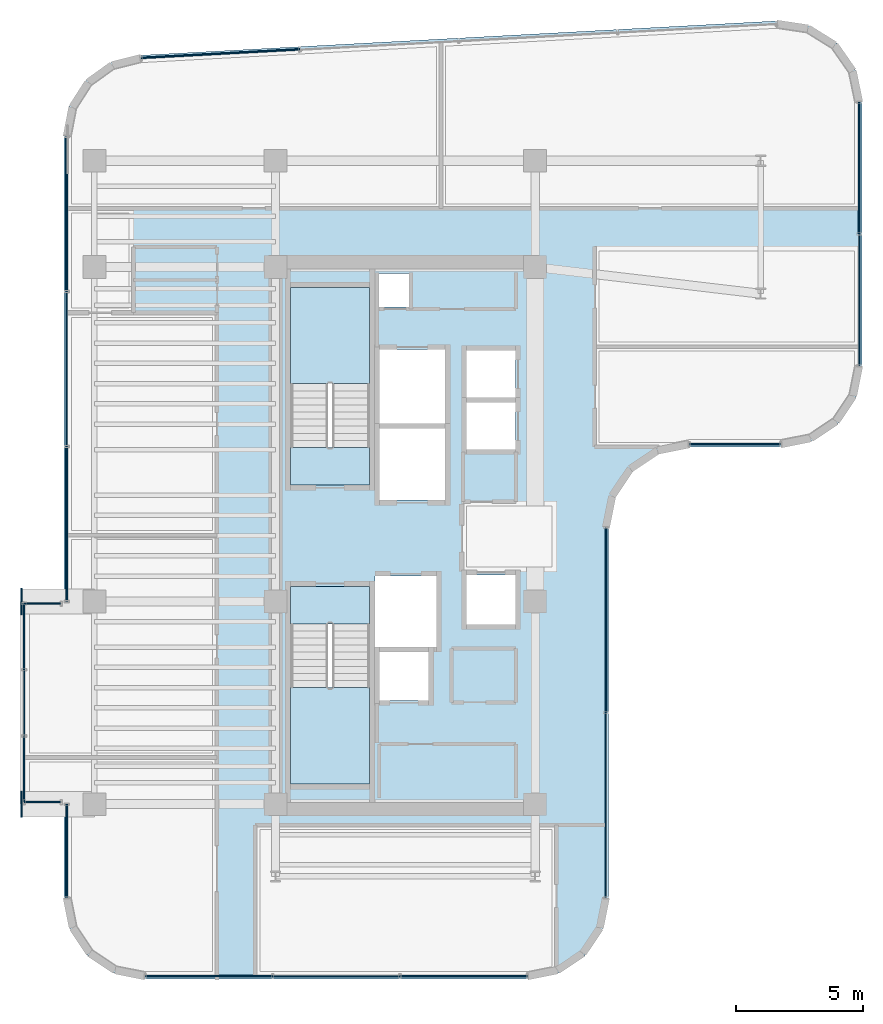
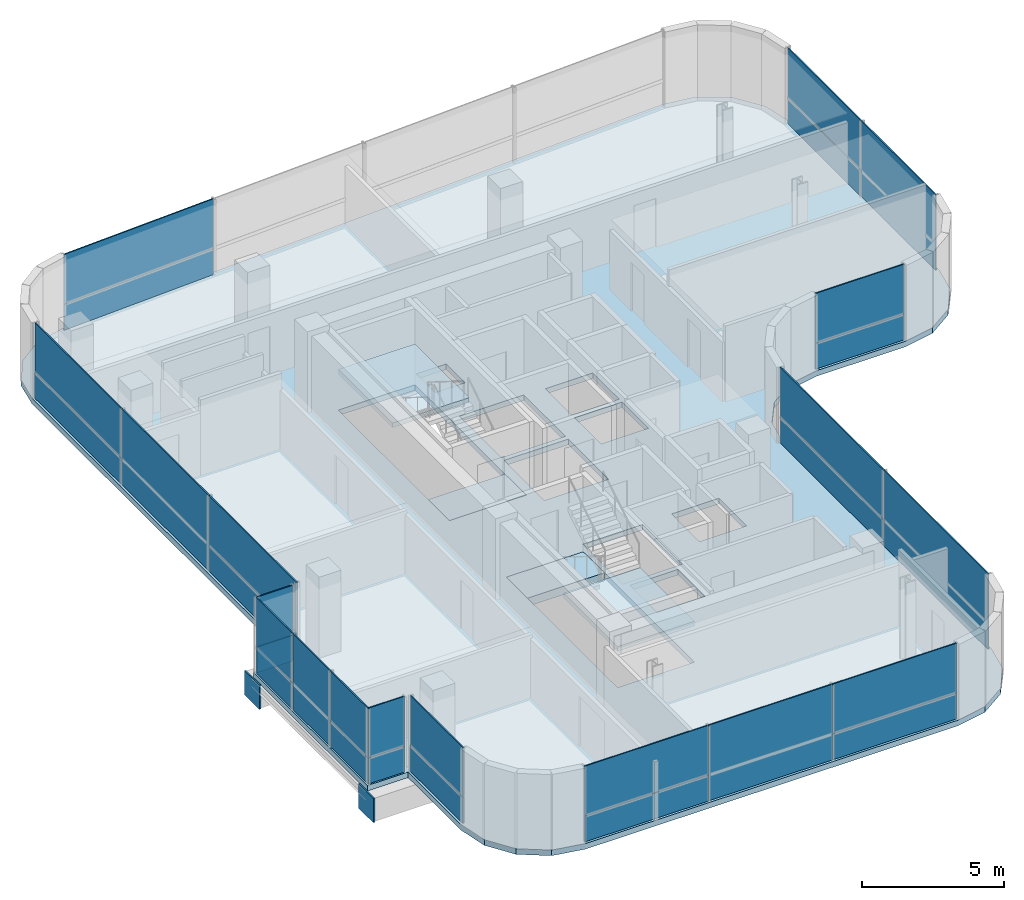
# One storey, part 17 of 22: 33 plates, 5 slabs, 12 elements without a shape of their own.
"""IFC4 building model written with IfcOpenShell, lengths in metres."""

from ifc_helpers import new_model, si_unit, direction, frame, origin, origin_2d, place, context, subcontext, project, spatial, polyline, rectangle, outline, extrude, source, transform, mapped, material, layer, layer_set, type_object, element, aggregate, save


model = new_model("IFC4")

# Units and contexts
model_context = context("Model", 3, precision=1e-05, world=origin(), true_north=direction((0.0, 1.0)))
body_context = subcontext(model_context, "Body", "Model", "MODEL_VIEW")
ifc_project = project(units=[si_unit("LENGTHUNIT", "METRE"), si_unit("AREAUNIT", "SQUARE_METRE"), si_unit("VOLUMEUNIT", "CUBIC_METRE"), si_unit("PLANEANGLEUNIT", "RADIAN"), si_unit("MASSUNIT", "GRAM", prefix="KILO")], contexts=[model_context])

# Site, building, storey
site_placement = place(None, origin())
site = spatial("IfcSite", under=ifc_project, at=site_placement, CompositionType="ELEMENT")
building_placement = place(site_placement, origin())
building = spatial("IfcBuilding", under=site, at=building_placement, Name="Valdorenza Pilgrim Sanctuary Tower", CompositionType="ELEMENT")
storey_placement = place(building_placement, frame((0.0, 0.0, 233.5)))
storey = spatial("IfcBuildingStorey", under=building, at=storey_placement, Name="L60", CompositionType="ELEMENT", Elevation=233.5)

# Slab
ifc_material_1 = material(Name="Concrete C40/50", Category="concrete")
ifc_layer_1 = layer(ifc_material_1, 0.239990234375, Name="Concrete C40/50")
ifc_layer_set_1 = layer_set([ifc_layer_1], Name="Concrete C40/50")
slab_type_1 = type_object("IfcSlabType", Name="SLAB-FLR-220", PredefinedType="FLOOR", material=ifc_layer_set_1)
slab_1_placement = place(storey_placement, frame((0.0, 0.0, -0.239990234375)))
element("IfcSlab", 1, at=slab_1_placement, inside=storey, type_object=slab_type_1, Name="L60 Structural Floor Slab 1", PredefinedType="FLOOR", context=body_context, shape_type="SweptSolid", body=[
    extrude(outline(polyline([(-32.64990234375, -2.60009765625), (-31.0, -2.60009765625), (-31.0, 15.76806640625), (-30.772705078125, 16.95263671875), (-30.122802734375, 17.968994140625), (-29.14306640625, 18.672607421875), (-27.972412109375, 18.96337890625), (-2.872314453125, 20.318115234375), (-1.595947265625, 20.126220703125), (-0.4990234375, 19.445556640625), (0.239501953125, 18.386962890625), (0.5, 17.12255859375), (0.5, 6.699951171875), (0.25634765625, 5.475341796875), (-0.437255859375, 4.437255859375), (-1.475341796875, 3.74365234375), (-2.699951171875, 3.5), (-6.300048828125, 3.5), (-7.524658203125, 3.25634765625), (-8.562744140625, 2.562744140625), (-9.25634765625, 1.524658203125), (-9.5, 0.300048828125), (-9.5, -14.300048828125), (-9.74365234375, -15.524658203125), (-10.437255859375, -16.562744140625), (-11.475341796875, -17.25634765625), (-12.699951171875, -17.5), (-27.800048828125, -17.5), (-29.024658203125, -17.25634765625), (-30.062744140625, -16.562744140625), (-30.75634765625, -15.524658203125), (-31.0, -14.300048828125), (-31.0, -10.60009765625), (-32.64990234375, -10.60009765625), (-32.64990234375, -2.60009765625)]), holes=[polyline([(-22.050048828125, -9.800048828125), (-18.93994140625, -9.800048828125), (-18.93994140625, -3.485107421875), (-18.93994140625, -2.0), (-22.050048828125, -2.0), (-22.050048828125, -3.485107421875), (-22.050048828125, -9.800048828125)]), polyline([(-16.60009765625, -6.5), (-16.60009765625, -4.60009765625), (-18.550048828125, -4.60009765625), (-18.550048828125, -6.5), (-16.60009765625, -6.5)]), polyline([(-22.050048828125, 2.0), (-18.93994140625, 2.0), (-18.93994140625, 3.485107421875), (-18.93994140625, 9.800048828125), (-22.050048828125, 9.800048828125), (-22.050048828125, 3.485107421875), (-22.050048828125, 2.0)]), polyline([(-17.360107421875, 9.030029296875), (-17.360107421875, 10.35009765625), (-18.570068359375, 10.35009765625), (-18.570068359375, 9.030029296875), (-17.360107421875, 9.030029296875)]), polyline([(-16.300048828125, -1.60009765625), (-18.719970703125, -1.60009765625), (-18.719970703125, -4.39990234375), (-16.300048828125, -4.39990234375), (-16.300048828125, -1.60009765625)]), polyline([(-13.179931640625, -3.5), (-13.179931640625, -1.550048828125), (-15.10009765625, -1.550048828125), (-15.10009765625, -3.5), (-13.179931640625, -3.5)]), polyline([(-15.949951171875, 1.39990234375), (-15.949951171875, 4.22509765625), (-18.550048828125, 4.22509765625), (-18.550048828125, 1.39990234375), (-15.949951171875, 1.39990234375)]), polyline([(-13.179931640625, 5.25), (-15.10009765625, 5.25), (-15.10009765625, 3.39990234375), (-13.179931640625, 3.39990234375), (-13.179931640625, 5.25)]), polyline([(-15.949951171875, 4.425048828125), (-15.949951171875, 7.35009765625), (-18.550048828125, 7.35009765625), (-18.550048828125, 4.425048828125), (-15.949951171875, 4.425048828125)]), polyline([(-13.179931640625, 5.449951171875), (-13.179931640625, 7.300048828125), (-15.10009765625, 7.300048828125), (-15.10009765625, 5.449951171875), (-13.179931640625, 5.449951171875)])]), origin(), (0.0, 0.0, 1.0), 0.239990234375),
])

# Stair, slab
stair_type = type_object("IfcStairType", Name="STR-DOG-CORE", PredefinedType="HALF_TURN_STAIR", material=ifc_material_1)
stair_1_placement = place(storey_placement, origin())
stair_1 = element("IfcStair", 2, at=stair_1_placement, inside=storey, type_object=stair_type, Name="L60 ST-A1", PredefinedType="HALF_TURN_STAIR")
ifc_layer_2 = layer(ifc_material_1, 0.199951171875, Name="Concrete C40/50")
ifc_layer_set_2 = layer_set([ifc_layer_2], Name="Concrete C40/50")
slab_type_2 = type_object("IfcSlabType", Name="SLAB-STL-200", PredefinedType="LANDING", material=ifc_layer_set_2)
slab_2_placement = place(storey_placement, frame((0.0, 0.0, 1.550048828125)))
slab_2 = element("IfcSlab", 3, at=slab_2_placement, type_object=slab_type_2, Name="ST-A1 landing 1", PredefinedType="LANDING", context=body_context, shape_type="SweptSolid", body=[
    extrude(outline(polyline([(-18.93994140625, 6.0), (-18.93994140625, 9.800048828125), (-22.050048828125, 9.800048828125), (-22.050048828125, 6.0), (-18.93994140625, 6.0)])), origin(), (0.0, 0.0, 1.0), 0.199951171875),
])
aggregate(stair_1, [slab_2])

stair_2_placement = place(storey_placement, origin())
stair_2 = element("IfcStair", 4, at=stair_2_placement, inside=storey, type_object=stair_type, Name="L60 ST-A2", PredefinedType="HALF_TURN_STAIR")
slab_3_placement = place(storey_placement, frame((0.0, 0.0, 1.550048828125)))
slab_3 = element("IfcSlab", 5, at=slab_3_placement, type_object=slab_type_2, Name="ST-A2 landing 1", PredefinedType="LANDING", context=body_context, shape_type="SweptSolid", body=[
    extrude(outline(polyline([(-22.050048828125, -6.0), (-22.050048828125, -9.800048828125), (-18.93994140625, -9.800048828125), (-18.93994140625, -6.0), (-22.050048828125, -6.0)])), origin(), (0.0, 0.0, 1.0), 0.199951171875),
])
aggregate(stair_2, [slab_3])

# Slabs
ifc_material_2 = material(Name="Concrete C50/60", Category="concrete")
ifc_layer_3 = layer(ifc_material_2, 0.39990234375, Name="Concrete C50/60")
ifc_layer_set_3 = layer_set([ifc_layer_3], Name="Concrete C50/60")
slab_type_3 = type_object("IfcSlabType", Name="SLAB-TRF-400", PredefinedType="FLOOR", material=ifc_layer_set_3)
slab_4_placement = place(storey_placement, frame((0.0, 0.0, -0.360107421875)))
element("IfcSlab", 6, at=slab_4_placement, inside=storey, type_object=slab_type_3, Name="L60 ST-A1 Structural Stair Landing Bearing Slab", PredefinedType="FLOOR", context=body_context, shape_type="SweptSolid", body=[
    extrude(outline(polyline([(-22.050048828125, 2.0), (-18.93994140625, 2.0), (-18.93994140625, 3.485107421875), (-22.050048828125, 3.485107421875), (-22.050048828125, 2.0)])), origin(), (0.0, 0.0, 1.0), 0.360107421875),
])
slab_5_placement = place(storey_placement, frame((0.0, 0.0, -0.360107421875)))
element("IfcSlab", 7, at=slab_5_placement, inside=storey, type_object=slab_type_3, Name="L60 ST-A2 Structural Stair Landing Bearing Slab", PredefinedType="FLOOR", context=body_context, shape_type="SweptSolid", body=[
    extrude(outline(polyline([(-22.050048828125, -3.485107421875), (-18.93994140625, -3.485107421875), (-18.93994140625, -2.0), (-22.050048828125, -2.0), (-22.050048828125, -3.485107421875)])), origin(), (0.0, 0.0, 1.0), 0.360107421875),
])

# Plates
ifc_material_3 = material(Name="Steel ASTM A572 Grade 42", Category="steel")
ifc_layer_4 = layer(ifc_material_3, 0.06005859375, Name="Steel ASTM A572 Grade 42")
ifc_layer_set_4 = layer_set([ifc_layer_4], Name="Steel ASTM A572 Grade 42")
plate_type_1 = type_object("IfcPlateType", Name="PLT-CAP-60", PredefinedType="SHEET", material=ifc_layer_set_4)
shared_shape_1 = source(origin(), body_context, "Body", "SweptSolid", [
    extrude(rectangle(XDim=0.06005859375, YDim=1.0400390625, at=origin_2d()), origin(), (0.0, 0.0, 1.0), 1.0400390625),
])
for number, where, z_axis, x_axis, name in (
    (8, (-32.679931640625, -2.60009765625, -1.260009765625), (0.0, 0.0, 1.0), (1.0, 0.0, 0.0), "L60 BOX-WA-L60 Cantilever Tip End Cap N"),
    (9, (-32.679931640625, -10.60009765625, -1.260009765625), (0.0, 0.0, 1.0), (1.0, 0.0, 0.0), "L60 BOX-WA-L60 Cantilever Tip End Cap S"),
):
    element("IfcPlate", number, at=place(storey_placement, frame(where, z_axis=z_axis, x_axis=x_axis)), inside=storey, type_object=plate_type_1, Name=name, PredefinedType="SHEET", context=body_context, shape_type="MappedRepresentation", body=[
        mapped(shared_shape_1, transform((0.0, 0.0, 0.0), x_axis=(1.0, 0.0, 0.0), y_axis=(0.0, 1.0, 0.0), z_axis=(0.0, 0.0, 1.0), scale=1.0)),
    ])

# Curtain wall, plate
ifc_material_4 = material(Name="Curtain-wall IGU glazing", Category="glass")
curtain_wall_type = type_object("IfcCurtainWallType", Name="CW-SYS-02", PredefinedType="NOTDEFINED", material=ifc_material_4)
curtain_wall_1_placement = place(storey_placement, origin())
curtain_wall_1 = element("IfcCurtainWall", 10, at=curtain_wall_1_placement, inside=storey, type_object=curtain_wall_type, Name="L60 Curtain Wall CW-L60-BOX-WA-L60-S", PredefinedType="NOTDEFINED")
ifc_material_5 = material(Name="Honed travertine limestone", Category="masonry")
ifc_layer_5 = layer(ifc_material_5, 0.050048828125, Name="Honed travertine limestone")
ifc_layer_set_5 = layer_set([ifc_layer_5], Name="Honed travertine limestone")
plate_type_2 = type_object("IfcPlateType", Name="CW-SPN-TRV", PredefinedType="USERDEFINED", material=ifc_layer_set_5)
shared_shape_2 = source(origin(), body_context, "Body", "SweptSolid", [
    extrude(rectangle(XDim=1.43994140625, YDim=0.06005859375, at=origin_2d()), origin(), (0.0, 0.0, 1.0), 1.10009765625),
])
plate_1_placement = place(storey_placement, frame((-31.840087890625, -10.52001953125, 0.010009765625), z_axis=(0.0, 0.0, 1.0), x_axis=(-1.0, 0.0, 0.0)))
plate_1 = element("IfcPlate", 11, at=plate_1_placement, type_object=plate_type_2, Name="CW-L60-BOX-WA-L60-S Travertine Spandrel 1", ObjectType="SPANDREL", PredefinedType="USERDEFINED", context=body_context, shape_type="MappedRepresentation", body=[
    mapped(shared_shape_2, transform((0.0, 0.0, 0.0), x_axis=(1.0, 0.0, 0.0), y_axis=(0.0, 1.0, 0.0), z_axis=(0.0, 0.0, 1.0), scale=1.0)),
])

curtain_wall_2_placement = place(storey_placement, origin())
curtain_wall_2 = element("IfcCurtainWall", 12, at=curtain_wall_2_placement, inside=storey, type_object=curtain_wall_type, Name="L60 Curtain Wall CW-L60-BOX-WA-L60-N", PredefinedType="NOTDEFINED")
plate_2_placement = place(storey_placement, frame((-31.840087890625, -2.679931640625, 0.010009765625), z_axis=(0.0, 0.0, 1.0), x_axis=(1.0, 0.0, 0.0)))
plate_2 = element("IfcPlate", 13, at=plate_2_placement, type_object=plate_type_2, Name="CW-L60-BOX-WA-L60-N Travertine Spandrel 1", ObjectType="SPANDREL", PredefinedType="USERDEFINED", context=body_context, shape_type="MappedRepresentation", body=[
    mapped(shared_shape_2, transform((0.0, 0.0, 0.0), x_axis=(1.0, 0.0, 0.0), y_axis=(0.0, 1.0, 0.0), z_axis=(0.0, 0.0, 1.0), scale=1.0)),
])

# Curtain wall, plates
curtain_wall_3_placement = place(storey_placement, origin())
curtain_wall_3 = element("IfcCurtainWall", 14, at=curtain_wall_3_placement, inside=storey, type_object=curtain_wall_type, Name="L60 Curtain Wall CW-L60-BOX-WA-L60-F", PredefinedType="NOTDEFINED")
shared_shape_3 = source(origin(), body_context, "Body", "SweptSolid", [
    extrude(rectangle(XDim=2.59326171875, YDim=0.06005859375, at=origin_2d()), origin(), (0.0, 0.0, 1.0), 1.10009765625),
])
plate_3_placement = place(storey_placement, frame((-32.570068359375, -9.21337890625, 0.010009765625), z_axis=(0.0, 0.0, 1.0), x_axis=(0.0, 1.0, 0.0)))
plate_3 = element("IfcPlate", 15, at=plate_3_placement, type_object=plate_type_2, Name="CW-L60-BOX-WA-L60-F Travertine Spandrel 1", ObjectType="SPANDREL", PredefinedType="USERDEFINED", context=body_context, shape_type="MappedRepresentation", body=[
    mapped(shared_shape_3, transform((0.0, 0.0, 0.0), x_axis=(1.0, 0.0, 0.0), y_axis=(0.0, 1.0, 0.0), z_axis=(0.0, 0.0, 1.0), scale=1.0)),
])
plate_4_placement = place(storey_placement, frame((-32.570068359375, -3.98681640625, 0.010009765625), z_axis=(0.0, 0.0, 1.0), x_axis=(0.0, 1.0, 0.0)))
plate_4 = element("IfcPlate", 16, at=plate_4_placement, type_object=plate_type_2, Name="CW-L60-BOX-WA-L60-F Travertine Spandrel 3", ObjectType="SPANDREL", PredefinedType="USERDEFINED", context=body_context, shape_type="MappedRepresentation", body=[
    mapped(shared_shape_3, transform((0.0, 0.0, 0.0), x_axis=(1.0, 0.0, 0.0), y_axis=(0.0, 1.0, 0.0), z_axis=(0.0, 0.0, 1.0), scale=1.0)),
])

curtain_wall_4_placement = place(storey_placement, origin())
curtain_wall_4 = element("IfcCurtainWall", 17, at=curtain_wall_4_placement, inside=storey, type_object=curtain_wall_type, Name="L60 Curtain Wall CW-L60-1-26", PredefinedType="NOTDEFINED")
shared_shape_4 = source(origin(), body_context, "Body", "SweptSolid", [
    extrude(rectangle(XDim=5.006103515625, YDim=0.06005859375, at=origin_2d()), origin(), (0.0, 0.0, 1.0), 1.10009765625),
])
plate_5_placement = place(storey_placement, frame((-15.223876953125, -17.389892578125, 0.010009765625), z_axis=(0.0, 0.0, 1.0), x_axis=(-1.0, 0.0, 0.0)))
plate_5 = element("IfcPlate", 18, at=plate_5_placement, type_object=plate_type_2, Name="CW-L60-1-26 Travertine Spandrel 1", ObjectType="SPANDREL", PredefinedType="USERDEFINED", context=body_context, shape_type="MappedRepresentation", body=[
    mapped(shared_shape_4, transform((0.0, 0.0, 0.0), x_axis=(1.0, 0.0, 0.0), y_axis=(0.0, 1.0, 0.0), z_axis=(0.0, 0.0, 1.0), scale=1.0)),
])
plate_6_placement = place(storey_placement, frame((-25.276123046875, -17.389892578125, 0.010009765625), z_axis=(0.0, 0.0, 1.0), x_axis=(-1.0, 0.0, 0.0)))
plate_6 = element("IfcPlate", 19, at=plate_6_placement, type_object=plate_type_2, Name="CW-L60-1-26 Travertine Spandrel 3", ObjectType="SPANDREL", PredefinedType="USERDEFINED", context=body_context, shape_type="MappedRepresentation", body=[
    mapped(shared_shape_4, transform((0.0, 0.0, 0.0), x_axis=(1.0, 0.0, 0.0), y_axis=(0.0, 1.0, 0.0), z_axis=(0.0, 0.0, 1.0), scale=1.0)),
])

# Curtain wall, plate
curtain_wall_5_placement = place(storey_placement, origin())
curtain_wall_5 = element("IfcCurtainWall", 20, at=curtain_wall_5_placement, inside=storey, type_object=curtain_wall_type, Name="L60 Curtain Wall CW-L60-1-1S1", PredefinedType="NOTDEFINED")
shared_shape_5 = source(origin(), body_context, "Body", "SweptSolid", [
    extrude(rectangle(XDim=3.669189453125, YDim=0.06005859375, at=origin_2d()), origin(), (0.0, 0.0, 1.0), 1.10009765625),
])
plate_7_placement = place(storey_placement, frame((-30.889892578125, -12.444580078125, 0.010009765625), z_axis=(0.0, 0.0, 1.0), x_axis=(0.0, 1.0, 0.0)))
plate_7 = element("IfcPlate", 21, at=plate_7_placement, type_object=plate_type_2, Name="CW-L60-1-1S1 Travertine Spandrel 1", ObjectType="SPANDREL", PredefinedType="USERDEFINED", context=body_context, shape_type="MappedRepresentation", body=[
    mapped(shared_shape_5, transform((0.0, 0.0, 0.0), x_axis=(1.0, 0.0, 0.0), y_axis=(0.0, 1.0, 0.0), z_axis=(0.0, 0.0, 1.0), scale=1.0)),
])

curtain_wall_6_placement = place(storey_placement, origin())
curtain_wall_6 = element("IfcCurtainWall", 22, at=curtain_wall_6_placement, inside=storey, type_object=curtain_wall_type, Name="L60 Curtain Wall CW-L60-1-6", PredefinedType="NOTDEFINED")
shared_shape_6 = source(origin(), body_context, "Body", "SweptSolid", [
    extrude(rectangle(XDim=6.2587890625, YDim=0.06005859375, at=origin_2d()), origin(), (0.0, 0.0, 1.0), 1.10009765625),
])
plate_8_placement = place(storey_placement, frame((-24.8212890625, 19.023193359375, 0.010009765625), z_axis=(0.0, 0.0, 1.0), x_axis=(0.998547034311, 0.053887106711, 0.0)))
plate_8 = element("IfcPlate", 23, at=plate_8_placement, type_object=plate_type_2, Name="CW-L60-1-6 Travertine Spandrel 1", ObjectType="SPANDREL", PredefinedType="USERDEFINED", context=body_context, shape_type="MappedRepresentation", body=[
    mapped(shared_shape_6, transform((0.0, 0.0, 0.0), x_axis=(1.0, 0.0, 0.0), y_axis=(0.0, 1.0, 0.0), z_axis=(0.0, 0.0, 1.0), scale=1.0)),
])

curtain_wall_7_placement = place(storey_placement, origin())
curtain_wall_7 = element("IfcCurtainWall", 24, at=curtain_wall_7_placement, inside=storey, type_object=curtain_wall_type, Name="L60 Curtain Wall CW-L60-1-16", PredefinedType="NOTDEFINED")
shared_shape_7 = source(origin(), body_context, "Body", "SweptSolid", [
    extrude(rectangle(XDim=3.580078125, YDim=0.06005859375, at=origin_2d()), origin(), (0.0, 0.0, 1.0), 1.10009765625),
])
plate_9_placement = place(storey_placement, frame((-4.5107421875, 3.610107421875, 0.010009765625), z_axis=(0.0, 0.0, 1.0), x_axis=(-1.0, 0.0, 0.0)))
plate_9 = element("IfcPlate", 25, at=plate_9_placement, type_object=plate_type_2, Name="CW-L60-1-16 Travertine Spandrel 1", ObjectType="SPANDREL", PredefinedType="USERDEFINED", context=body_context, shape_type="MappedRepresentation", body=[
    mapped(shared_shape_7, transform((0.0, 0.0, 0.0), x_axis=(1.0, 0.0, 0.0), y_axis=(0.0, 1.0, 0.0), z_axis=(0.0, 0.0, 1.0), scale=1.0)),
])

curtain_wall_8_placement = place(storey_placement, origin())
curtain_wall_8 = element("IfcCurtainWall", 26, at=curtain_wall_8_placement, inside=storey, type_object=curtain_wall_type, Name="L60 Curtain Wall CW-L60-1-21", PredefinedType="NOTDEFINED")
shared_shape_8 = source(origin(), body_context, "Body", "SweptSolid", [
    extrude(rectangle(XDim=7.280029296875, YDim=0.06005859375, at=origin_2d()), origin(), (0.0, 0.0, 1.0), 1.10009765625),
])
plate_10_placement = place(storey_placement, frame((-9.610107421875, -3.339111328125, 0.010009765625), z_axis=(0.0, 0.0, 1.0), x_axis=(0.0, -1.0, 0.0)))
plate_10 = element("IfcPlate", 27, at=plate_10_placement, type_object=plate_type_2, Name="CW-L60-1-21 Travertine Spandrel 1", ObjectType="SPANDREL", PredefinedType="USERDEFINED", context=body_context, shape_type="MappedRepresentation", body=[
    mapped(shared_shape_8, transform((0.0, 0.0, 0.0), x_axis=(1.0, 0.0, 0.0), y_axis=(0.0, 1.0, 0.0), z_axis=(0.0, 0.0, 1.0), scale=1.0)),
])

curtain_wall_9_placement = place(storey_placement, origin())
curtain_wall_9 = element("IfcCurtainWall", 28, at=curtain_wall_9_placement, inside=storey, type_object=curtain_wall_type, Name="L60 Curtain Wall CW-L60-1-11", PredefinedType="NOTDEFINED")
shared_shape_9 = source(origin(), body_context, "Body", "SweptSolid", [
    extrude(rectangle(XDim=5.180419921875, YDim=0.06005859375, at=origin_2d()), origin(), (0.0, 0.0, 1.0), 1.10009765625),
])
plate_11_placement = place(storey_placement, frame((0.389892578125, 14.51123046875, 0.010009765625), z_axis=(0.0, 0.0, 1.0), x_axis=(0.0, -1.0, 0.0)))
plate_11 = element("IfcPlate", 29, at=plate_11_placement, type_object=plate_type_2, Name="CW-L60-1-11 Travertine Spandrel 1", ObjectType="SPANDREL", PredefinedType="USERDEFINED", context=body_context, shape_type="MappedRepresentation", body=[
    mapped(shared_shape_9, transform((0.0, 0.0, 0.0), x_axis=(1.0, 0.0, 0.0), y_axis=(0.0, 1.0, 0.0), z_axis=(0.0, 0.0, 1.0), scale=1.0)),
])

# Plate
ifc_material_6 = material(Name="Ceramic-fritted low-E IGU glazing", Category="glass")
ifc_layer_6 = layer(ifc_material_6, 0.035888671875, Name="Ceramic-fritted low-E IGU glazing")
ifc_layer_set_6 = layer_set([ifc_layer_6], Name="Ceramic-fritted low-E IGU glazing")
plate_type_3 = type_object("IfcPlateType", Name="CW-GLZ-IGU", PredefinedType="USERDEFINED", material=ifc_layer_set_6)
shared_shape_10 = source(origin(), body_context, "Body", "SweptSolid", [
    extrude(rectangle(XDim=3.669189453125, YDim=0.050048828125, at=origin_2d()), origin(), (0.0, 0.0, 1.0), 2.1201171875),
])
plate_12_placement = place(storey_placement, frame((-30.889892578125, -12.444580078125, 1.1298828125), z_axis=(0.0, 0.0, 1.0), x_axis=(0.0, 1.0, 0.0)))
plate_12 = element("IfcPlate", 30, at=plate_12_placement, type_object=plate_type_3, Name="CW-L60-1-1S1 Facade Panel 1", ObjectType="GLAZING", PredefinedType="USERDEFINED", context=body_context, shape_type="MappedRepresentation", body=[
    mapped(shared_shape_10, transform((0.0, 0.0, 0.0), x_axis=(1.0, 0.0, 0.0), y_axis=(0.0, 1.0, 0.0), z_axis=(0.0, 0.0, 1.0), scale=1.0)),
])

aggregate(curtain_wall_5, [plate_7, plate_12])

# Curtain wall, plates
curtain_wall_10_placement = place(storey_placement, origin())
curtain_wall_10 = element("IfcCurtainWall", 31, at=curtain_wall_10_placement, inside=storey, type_object=curtain_wall_type, Name="L60 Curtain Wall CW-L60-1-1S2", PredefinedType="NOTDEFINED")
shared_shape_11 = source(origin(), body_context, "Body", "SweptSolid", [
    extrude(rectangle(XDim=6.09912109375, YDim=0.06005859375, at=origin_2d()), origin(), (0.0, 0.0, 1.0), 1.10009765625),
])
plate_13_placement = place(storey_placement, frame((-30.889892578125, 0.459716796875, 0.010009765625), z_axis=(0.0, 0.0, 1.0), x_axis=(0.0, 1.0, 0.0)))
plate_13 = element("IfcPlate", 32, at=plate_13_placement, type_object=plate_type_2, Name="CW-L60-1-1S2 Travertine Spandrel 1", ObjectType="SPANDREL", PredefinedType="USERDEFINED", context=body_context, shape_type="MappedRepresentation", body=[
    mapped(shared_shape_11, transform((0.0, 0.0, 0.0), x_axis=(1.0, 0.0, 0.0), y_axis=(0.0, 1.0, 0.0), z_axis=(0.0, 0.0, 1.0), scale=1.0)),
])
plate_14_placement = place(storey_placement, frame((-30.889892578125, 12.697998046875, 0.010009765625), z_axis=(0.0, 0.0, 1.0), x_axis=(0.0, 1.0, 0.0)))
plate_14 = element("IfcPlate", 33, at=plate_14_placement, type_object=plate_type_2, Name="CW-L60-1-1S2 Travertine Spandrel 3", ObjectType="SPANDREL", PredefinedType="USERDEFINED", context=body_context, shape_type="MappedRepresentation", body=[
    mapped(shared_shape_11, transform((0.0, 0.0, 0.0), x_axis=(1.0, 0.0, 0.0), y_axis=(0.0, 1.0, 0.0), z_axis=(0.0, 0.0, 1.0), scale=1.0)),
])
shared_shape_12 = source(origin(), body_context, "Body", "SweptSolid", [
    extrude(rectangle(XDim=6.09912109375, YDim=0.050048828125, at=origin_2d()), origin(), (0.0, 0.0, 1.0), 2.1201171875),
])
plate_15_placement = place(storey_placement, frame((-30.889892578125, 0.459716796875, 1.1298828125), z_axis=(0.0, 0.0, 1.0), x_axis=(0.0, 1.0, 0.0)))
plate_15 = element("IfcPlate", 34, at=plate_15_placement, type_object=plate_type_3, Name="CW-L60-1-1S2 Facade Panel 1", ObjectType="GLAZING", PredefinedType="USERDEFINED", context=body_context, shape_type="MappedRepresentation", body=[
    mapped(shared_shape_12, transform((0.0, 0.0, 0.0), x_axis=(1.0, 0.0, 0.0), y_axis=(0.0, 1.0, 0.0), z_axis=(0.0, 0.0, 1.0), scale=1.0)),
])
plate_16_placement = place(storey_placement, frame((-30.889892578125, 12.697998046875, 1.1298828125), z_axis=(0.0, 0.0, 1.0), x_axis=(0.0, 1.0, 0.0)))
plate_16 = element("IfcPlate", 35, at=plate_16_placement, type_object=plate_type_3, Name="CW-L60-1-1S2 Facade Panel 3", ObjectType="GLAZING", PredefinedType="USERDEFINED", context=body_context, shape_type="MappedRepresentation", body=[
    mapped(shared_shape_12, transform((0.0, 0.0, 0.0), x_axis=(1.0, 0.0, 0.0), y_axis=(0.0, 1.0, 0.0), z_axis=(0.0, 0.0, 1.0), scale=1.0)),
])
shared_shape_13 = source(origin(), body_context, "Body", "SweptSolid", [
    extrude(rectangle(XDim=6.09912109375, YDim=0.050048828125, at=origin_2d()), origin(), (0.0, 0.0, 1.0), 3.239990234375),
])
plate_17_placement = place(storey_placement, frame((-30.889892578125, 6.578857421875, 0.009765625), z_axis=(0.0, 0.0, 1.0), x_axis=(0.0, 1.0, 0.0)))
plate_17 = element("IfcPlate", 36, at=plate_17_placement, type_object=plate_type_3, Name="CW-L60-1-1S2 Full-Height Facade Panel 2", ObjectType="GLAZING", PredefinedType="USERDEFINED", context=body_context, shape_type="MappedRepresentation", body=[
    mapped(shared_shape_13, transform((0.0, 0.0, 0.0), x_axis=(1.0, 0.0, 0.0), y_axis=(0.0, 1.0, 0.0), z_axis=(0.0, 0.0, 1.0), scale=1.0)),
])
aggregate(curtain_wall_10, [plate_13, plate_15, plate_17, plate_14, plate_16])

# Plate
shared_shape_14 = source(origin(), body_context, "Body", "SweptSolid", [
    extrude(rectangle(XDim=6.2587890625, YDim=0.050048828125, at=origin_2d()), origin(), (0.0, 0.0, 1.0), 2.1201171875),
])
plate_18_placement = place(storey_placement, frame((-24.8212890625, 19.023193359375, 1.1298828125), z_axis=(0.0, 0.0, 1.0), x_axis=(0.998547034311, 0.053887106711, 0.0)))
plate_18 = element("IfcPlate", 37, at=plate_18_placement, type_object=plate_type_3, Name="CW-L60-1-6 Facade Panel 1", ObjectType="GLAZING", PredefinedType="USERDEFINED", context=body_context, shape_type="MappedRepresentation", body=[
    mapped(shared_shape_14, transform((0.0, 0.0, 0.0), x_axis=(1.0, 0.0, 0.0), y_axis=(0.0, 1.0, 0.0), z_axis=(0.0, 0.0, 1.0), scale=1.0)),
])

aggregate(curtain_wall_6, [plate_8, plate_18])

shared_shape_15 = source(origin(), body_context, "Body", "SweptSolid", [
    extrude(rectangle(XDim=5.180419921875, YDim=0.050048828125, at=origin_2d()), origin(), (0.0, 0.0, 1.0), 2.1201171875),
])
plate_19_placement = place(storey_placement, frame((0.389892578125, 14.51123046875, 1.1298828125), z_axis=(0.0, 0.0, 1.0), x_axis=(0.0, -1.0, 0.0)))
plate_19 = element("IfcPlate", 38, at=plate_19_placement, type_object=plate_type_3, Name="CW-L60-1-11 Facade Panel 1", ObjectType="GLAZING", PredefinedType="USERDEFINED", context=body_context, shape_type="MappedRepresentation", body=[
    mapped(shared_shape_15, transform((0.0, 0.0, 0.0), x_axis=(1.0, 0.0, 0.0), y_axis=(0.0, 1.0, 0.0), z_axis=(0.0, 0.0, 1.0), scale=1.0)),
])

shared_shape_16 = source(origin(), body_context, "Body", "SweptSolid", [
    extrude(rectangle(XDim=5.180419921875, YDim=0.050048828125, at=origin_2d()), origin(), (0.0, 0.0, 1.0), 3.239990234375),
])
plate_20_placement = place(storey_placement, frame((0.389892578125, 9.310791015625, 0.009765625), z_axis=(0.0, 0.0, 1.0), x_axis=(0.0, -1.0, 0.0)))
plate_20 = element("IfcPlate", 39, at=plate_20_placement, type_object=plate_type_3, Name="CW-L60-1-11 Full-Height Facade Panel 2", ObjectType="GLAZING", PredefinedType="USERDEFINED", context=body_context, shape_type="MappedRepresentation", body=[
    mapped(shared_shape_16, transform((0.0, 0.0, 0.0), x_axis=(1.0, 0.0, 0.0), y_axis=(0.0, 1.0, 0.0), z_axis=(0.0, 0.0, 1.0), scale=1.0)),
])

aggregate(curtain_wall_9, [plate_11, plate_19, plate_20])

shared_shape_17 = source(origin(), body_context, "Body", "SweptSolid", [
    extrude(rectangle(XDim=3.580078125, YDim=0.050048828125, at=origin_2d()), origin(), (0.0, 0.0, 1.0), 2.1201171875),
])
plate_21_placement = place(storey_placement, frame((-4.5107421875, 3.610107421875, 1.1298828125), z_axis=(0.0, 0.0, 1.0), x_axis=(-1.0, 0.0, 0.0)))
plate_21 = element("IfcPlate", 40, at=plate_21_placement, type_object=plate_type_3, Name="CW-L60-1-16 Facade Panel 1", ObjectType="GLAZING", PredefinedType="USERDEFINED", context=body_context, shape_type="MappedRepresentation", body=[
    mapped(shared_shape_17, transform((0.0, 0.0, 0.0), x_axis=(1.0, 0.0, 0.0), y_axis=(0.0, 1.0, 0.0), z_axis=(0.0, 0.0, 1.0), scale=1.0)),
])

aggregate(curtain_wall_7, [plate_9, plate_21])

shared_shape_18 = source(origin(), body_context, "Body", "SweptSolid", [
    extrude(rectangle(XDim=7.280029296875, YDim=0.050048828125, at=origin_2d()), origin(), (0.0, 0.0, 1.0), 2.1201171875),
])
plate_22_placement = place(storey_placement, frame((-9.610107421875, -3.339111328125, 1.1298828125), z_axis=(0.0, 0.0, 1.0), x_axis=(0.0, -1.0, 0.0)))
plate_22 = element("IfcPlate", 41, at=plate_22_placement, type_object=plate_type_3, Name="CW-L60-1-21 Facade Panel 1", ObjectType="GLAZING", PredefinedType="USERDEFINED", context=body_context, shape_type="MappedRepresentation", body=[
    mapped(shared_shape_18, transform((0.0, 0.0, 0.0), x_axis=(1.0, 0.0, 0.0), y_axis=(0.0, 1.0, 0.0), z_axis=(0.0, 0.0, 1.0), scale=1.0)),
])

shared_shape_19 = source(origin(), body_context, "Body", "SweptSolid", [
    extrude(rectangle(XDim=7.280029296875, YDim=0.050048828125, at=origin_2d()), origin(), (0.0, 0.0, 1.0), 3.239990234375),
])
plate_23_placement = place(storey_placement, frame((-9.610107421875, -10.63916015625, 0.009765625), z_axis=(0.0, 0.0, 1.0), x_axis=(0.0, -1.0, 0.0)))
plate_23 = element("IfcPlate", 42, at=plate_23_placement, type_object=plate_type_3, Name="CW-L60-1-21 Full-Height Facade Panel 2", ObjectType="GLAZING", PredefinedType="USERDEFINED", context=body_context, shape_type="MappedRepresentation", body=[
    mapped(shared_shape_19, transform((0.0, 0.0, 0.0), x_axis=(1.0, 0.0, 0.0), y_axis=(0.0, 1.0, 0.0), z_axis=(0.0, 0.0, 1.0), scale=1.0)),
])

aggregate(curtain_wall_8, [plate_10, plate_22, plate_23])

shared_shape_20 = source(origin(), body_context, "Body", "SweptSolid", [
    extrude(rectangle(XDim=5.006103515625, YDim=0.050048828125, at=origin_2d()), origin(), (0.0, 0.0, 1.0), 2.1201171875),
])
plate_24_placement = place(storey_placement, frame((-15.223876953125, -17.389892578125, 1.1298828125), z_axis=(0.0, 0.0, 1.0), x_axis=(-1.0, 0.0, 0.0)))
plate_24 = element("IfcPlate", 43, at=plate_24_placement, type_object=plate_type_3, Name="CW-L60-1-26 Facade Panel 1", ObjectType="GLAZING", PredefinedType="USERDEFINED", context=body_context, shape_type="MappedRepresentation", body=[
    mapped(shared_shape_20, transform((0.0, 0.0, 0.0), x_axis=(1.0, 0.0, 0.0), y_axis=(0.0, 1.0, 0.0), z_axis=(0.0, 0.0, 1.0), scale=1.0)),
])

plate_25_placement = place(storey_placement, frame((-25.276123046875, -17.389892578125, 1.1298828125), z_axis=(0.0, 0.0, 1.0), x_axis=(-1.0, 0.0, 0.0)))
plate_25 = element("IfcPlate", 44, at=plate_25_placement, type_object=plate_type_3, Name="CW-L60-1-26 Facade Panel 3", ObjectType="GLAZING", PredefinedType="USERDEFINED", context=body_context, shape_type="MappedRepresentation", body=[
    mapped(shared_shape_20, transform((0.0, 0.0, 0.0), x_axis=(1.0, 0.0, 0.0), y_axis=(0.0, 1.0, 0.0), z_axis=(0.0, 0.0, 1.0), scale=1.0)),
])

shared_shape_21 = source(origin(), body_context, "Body", "SweptSolid", [
    extrude(rectangle(XDim=5.006103515625, YDim=0.050048828125, at=origin_2d()), origin(), (0.0, 0.0, 1.0), 3.239990234375),
])
plate_26_placement = place(storey_placement, frame((-20.25, -17.389892578125, 0.009765625), z_axis=(0.0, 0.0, 1.0), x_axis=(-1.0, 0.0, 0.0)))
plate_26 = element("IfcPlate", 45, at=plate_26_placement, type_object=plate_type_3, Name="CW-L60-1-26 Full-Height Facade Panel 2", ObjectType="GLAZING", PredefinedType="USERDEFINED", context=body_context, shape_type="MappedRepresentation", body=[
    mapped(shared_shape_21, transform((0.0, 0.0, 0.0), x_axis=(1.0, 0.0, 0.0), y_axis=(0.0, 1.0, 0.0), z_axis=(0.0, 0.0, 1.0), scale=1.0)),
])

aggregate(curtain_wall_4, [plate_5, plate_24, plate_26, plate_6, plate_25])

shared_shape_22 = source(origin(), body_context, "Body", "SweptSolid", [
    extrude(rectangle(XDim=1.43994140625, YDim=0.050048828125, at=origin_2d()), origin(), (0.0, 0.0, 1.0), 2.1201171875),
])
plate_27_placement = place(storey_placement, frame((-31.840087890625, -10.52001953125, 1.1298828125), z_axis=(0.0, 0.0, 1.0), x_axis=(-1.0, 0.0, 0.0)))
plate_27 = element("IfcPlate", 46, at=plate_27_placement, type_object=plate_type_3, Name="CW-L60-BOX-WA-L60-S Facade Panel 1", ObjectType="GLAZING", PredefinedType="USERDEFINED", context=body_context, shape_type="MappedRepresentation", body=[
    mapped(shared_shape_22, transform((0.0, 0.0, 0.0), x_axis=(1.0, 0.0, 0.0), y_axis=(0.0, 1.0, 0.0), z_axis=(0.0, 0.0, 1.0), scale=1.0)),
])

aggregate(curtain_wall_1, [plate_1, plate_27])

plate_28_placement = place(storey_placement, frame((-31.840087890625, -2.679931640625, 1.1298828125), z_axis=(0.0, 0.0, 1.0), x_axis=(1.0, 0.0, 0.0)))
plate_28 = element("IfcPlate", 47, at=plate_28_placement, type_object=plate_type_3, Name="CW-L60-BOX-WA-L60-N Facade Panel 1", ObjectType="GLAZING", PredefinedType="USERDEFINED", context=body_context, shape_type="MappedRepresentation", body=[
    mapped(shared_shape_22, transform((0.0, 0.0, 0.0), x_axis=(1.0, 0.0, 0.0), y_axis=(0.0, 1.0, 0.0), z_axis=(0.0, 0.0, 1.0), scale=1.0)),
])

aggregate(curtain_wall_2, [plate_2, plate_28])

shared_shape_23 = source(origin(), body_context, "Body", "SweptSolid", [
    extrude(rectangle(XDim=2.59326171875, YDim=0.050048828125, at=origin_2d()), origin(), (0.0, 0.0, 1.0), 2.1201171875),
])
plate_29_placement = place(storey_placement, frame((-32.570068359375, -9.21337890625, 1.1298828125), z_axis=(0.0, 0.0, 1.0), x_axis=(0.0, 1.0, 0.0)))
plate_29 = element("IfcPlate", 48, at=plate_29_placement, type_object=plate_type_3, Name="CW-L60-BOX-WA-L60-F Facade Panel 1", ObjectType="GLAZING", PredefinedType="USERDEFINED", context=body_context, shape_type="MappedRepresentation", body=[
    mapped(shared_shape_23, transform((0.0, 0.0, 0.0), x_axis=(1.0, 0.0, 0.0), y_axis=(0.0, 1.0, 0.0), z_axis=(0.0, 0.0, 1.0), scale=1.0)),
])

plate_30_placement = place(storey_placement, frame((-32.570068359375, -3.98681640625, 1.1298828125), z_axis=(0.0, 0.0, 1.0), x_axis=(0.0, 1.0, 0.0)))
plate_30 = element("IfcPlate", 49, at=plate_30_placement, type_object=plate_type_3, Name="CW-L60-BOX-WA-L60-F Facade Panel 3", ObjectType="GLAZING", PredefinedType="USERDEFINED", context=body_context, shape_type="MappedRepresentation", body=[
    mapped(shared_shape_23, transform((0.0, 0.0, 0.0), x_axis=(1.0, 0.0, 0.0), y_axis=(0.0, 1.0, 0.0), z_axis=(0.0, 0.0, 1.0), scale=1.0)),
])

shared_shape_24 = source(origin(), body_context, "Body", "SweptSolid", [
    extrude(rectangle(XDim=2.59326171875, YDim=0.050048828125, at=origin_2d()), origin(), (0.0, 0.0, 1.0), 3.239990234375),
])
plate_31_placement = place(storey_placement, frame((-32.570068359375, -6.60009765625, 0.009765625), z_axis=(0.0, 0.0, 1.0), x_axis=(0.0, 1.0, 0.0)))
plate_31 = element("IfcPlate", 50, at=plate_31_placement, type_object=plate_type_3, Name="CW-L60-BOX-WA-L60-F Full-Height Facade Panel 2", ObjectType="GLAZING", PredefinedType="USERDEFINED", context=body_context, shape_type="MappedRepresentation", body=[
    mapped(shared_shape_24, transform((0.0, 0.0, 0.0), x_axis=(1.0, 0.0, 0.0), y_axis=(0.0, 1.0, 0.0), z_axis=(0.0, 0.0, 1.0), scale=1.0)),
])

aggregate(curtain_wall_3, [plate_3, plate_29, plate_31, plate_4, plate_30])

save(model, "model.ifc")
